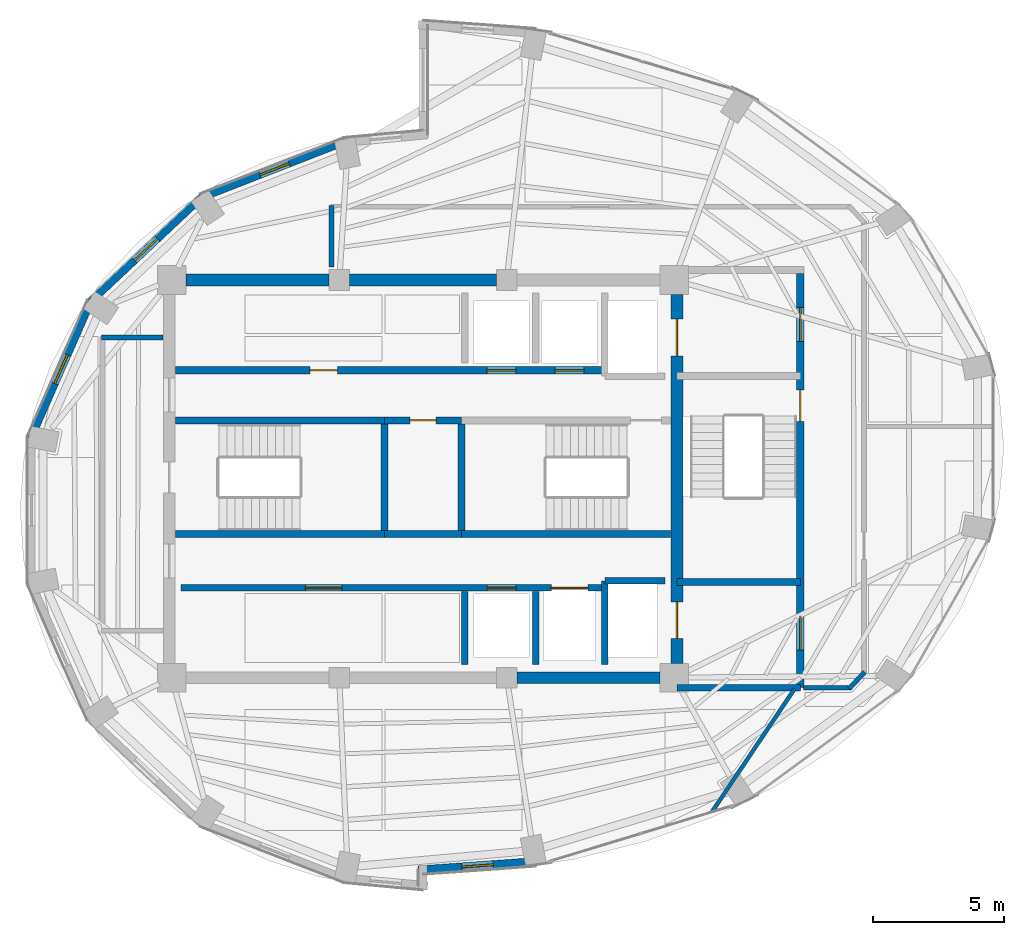
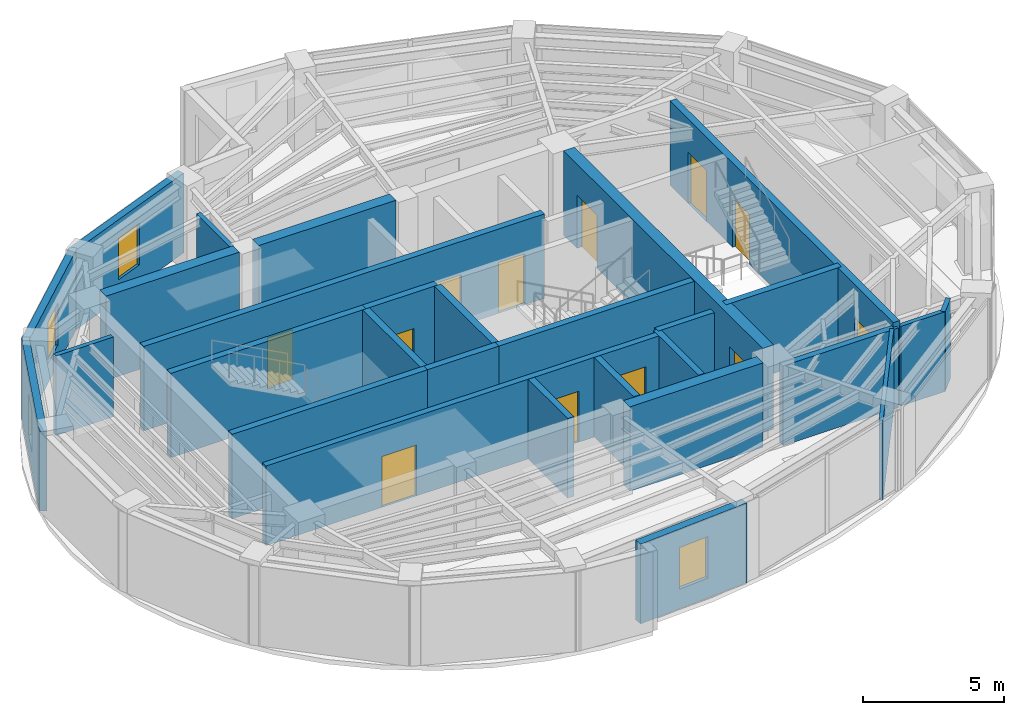
# One storey, part 9 of 12: 29 walls, 12 doors, 4 windows, 16 openings.
"""IFC4 building model written with IfcOpenShell, lengths in metres."""

from ifc_helpers import new_model, si_unit, direction, frame, frame_2d, origin, place, context, subcontext, project, spatial, rectangle, extrude, material, layer, layer_set, type_object, element, fill, save


model = new_model("IFC4")

# Units and contexts
model_context = context("Model", 3, precision=1e-05, world=origin(), true_north=direction((0.0, 1.0)))
body_context = subcontext(model_context, "Body", "Model", "MODEL_VIEW")
ifc_project = project(units=[si_unit("LENGTHUNIT", "METRE"), si_unit("AREAUNIT", "SQUARE_METRE"), si_unit("VOLUMEUNIT", "CUBIC_METRE"), si_unit("PLANEANGLEUNIT", "RADIAN"), si_unit("MASSUNIT", "GRAM", prefix="KILO")], contexts=[model_context])

# Site, building, storey
site_placement = place(None, origin())
site = spatial("IfcSite", under=ifc_project, at=site_placement, CompositionType="ELEMENT")
building_placement = place(site_placement, origin())
building = spatial("IfcBuilding", under=site, at=building_placement, Name="Lazwardi Medical Tower", CompositionType="ELEMENT")
storey_placement = place(building_placement, frame((0.0, 0.0, 291.50390625)))
storey = spatial("IfcBuildingStorey", under=building, at=storey_placement, Name="L76", CompositionType="ELEMENT", Elevation=291.50390625)

# Walls
ifc_material_1 = material(Name="Fire-rated gypsum board on steel stud", Category="steel")
ifc_layer_1 = layer(ifc_material_1, 0.179931640625)
ifc_layer_set_1 = layer_set([ifc_layer_1], Name="Fire-rated gypsum board on steel stud")
wall_type_1 = type_object("IfcWallType", Name="WL-COR-180", PredefinedType="PARTITIONING", material=ifc_layer_set_1)
wall_1_placement = place(storey_placement, frame((32.5, 36.090087890625, 0.0), z_axis=(0.0, 0.0, 1.0), x_axis=(0.0, 1.0, 0.0)))
element("IfcWall", 1, at=wall_1_placement, inside=storey, type_object=wall_type_1, Name="L76 Corridor partition 1", PredefinedType="PARTITIONING", context=body_context, shape_type="SweptSolid", body=[
    extrude(rectangle(XDim=2.349853515625, YDim=0.179931640625, at=frame_2d((1.1748046875, 0.0))), origin(), (0.0, 0.0, 1.0), 3.447998046875),
])
wall_2_placement = place(storey_placement, frame((52.877197265625, 20.619140625, 0.0), z_axis=(0.0, 0.0, 1.0), x_axis=(-0.682409308253, -0.730970270264, 0.0)))
element("IfcWall", 2, at=wall_2_placement, inside=storey, type_object=wall_type_1, Name="L76 Corridor partition 5", PredefinedType="PARTITIONING", context=body_context, shape_type="SweptSolid", body=[
    extrude(rectangle(XDim=0.859619140625, YDim=0.179931640625, at=frame_2d((0.4296875, 0.0))), origin(), (0.0, 0.0, 1.0), 3.447998046875),
])
wall_3_placement = place(storey_placement, frame((52.35791015625, 20.02001953125, 0.0), z_axis=(0.0, 0.0, 1.0), x_axis=(-1.0, 0.0, 0.0)))
element("IfcWall", 3, at=wall_3_placement, inside=storey, type_object=wall_type_1, Name="L76 Corridor partition 6", PredefinedType="PARTITIONING", context=body_context, shape_type="SweptSolid", body=[
    extrude(rectangle(XDim=1.81787109375, YDim=0.179931640625, at=frame_2d((0.908935546875, 0.0))), origin(), (0.0, 0.0, 1.0), 3.447998046875),
])
wall_4_placement = place(storey_placement, frame((23.7099609375, 33.39990234375, 0.0), z_axis=(0.0, 0.0, 1.0), x_axis=(1.0, 0.0, 0.0)))
element("IfcWall", 4, at=wall_4_placement, inside=storey, type_object=wall_type_1, Name="L76 Corridor partition 9", PredefinedType="PARTITIONING", context=body_context, shape_type="SweptSolid", body=[
    extrude(rectangle(XDim=2.35009765625, YDim=0.179931640625, at=frame_2d((1.175048828125, 0.0))), origin(), (0.0, 0.0, 1.0), 3.447998046875),
])

# Wall, openings, doors
ifc_material_2 = material(Name="Concrete C60/75", Category="concrete")
ifc_layer_2 = layer(ifc_material_2, 0.449951171875)
ifc_layer_set_2 = layer_set([ifc_layer_2], Name="Concrete C60/75")
wall_type_2 = type_object("IfcWallType", Name="WL-CORE-450", PredefinedType="SHEAR", material=ifc_layer_set_2)
wall_5_placement = place(storey_placement, frame((45.699951171875, 20.949951171875, 0.0), z_axis=(0.0, 0.0, 1.0), x_axis=(0.0, 1.0, 0.0)))
wall_5 = element("IfcWall", 5, at=wall_5_placement, inside=storey, type_object=wall_type_2, Name="Core wall CW-S4 east L76", PredefinedType="SHEAR", context=body_context, shape_type="SweptSolid", body=[
    extrude(rectangle(XDim=14.10009765625, YDim=0.449951171875, at=frame_2d((7.050048828125, 0.0))), origin(), (0.0, 0.0, 1.0), 3.648193359375),
])
opening_1_placement = place(wall_5_placement, frame((11.75, 0.0, 0.0)))
opening_1 = element("IfcOpeningElement", 6, at=opening_1_placement, cuts=wall_5, Name="Opening LD-L76-001", PredefinedType="OPENING", context=body_context, shape_type="SweptSolid", body=[
    extrude(rectangle(XDim=1.39990234375, YDim=2.300048828125, at=frame_2d((0.699951171875, 1.14990234375))), frame((0.0, 0.23486328125, 0.0), z_axis=(0.0, -1.0, 0.0), x_axis=(1.0, 0.0, 0.0)), (0.0, 0.0, 1.0), 0.469970703125),
])
opening_2_placement = place(wall_5_placement, frame((0.949951171875, 0.0, 0.0)))
opening_2 = element("IfcOpeningElement", 7, at=opening_2_placement, cuts=wall_5, Name="Opening LD-L76-002", PredefinedType="OPENING", context=body_context, shape_type="SweptSolid", body=[
    extrude(rectangle(XDim=1.39990234375, YDim=2.300048828125, at=frame_2d((0.699951171875, 1.14990234375))), frame((0.0, 0.23486328125, 0.0), z_axis=(0.0, -1.0, 0.0), x_axis=(1.0, 0.0, 0.0)), (0.0, 0.0, 1.0), 0.469970703125),
])
ifc_material_3 = material(Name="Brushed stainless steel bed-lift landing door", Category="steel")
door_type_1 = type_object("IfcDoorType", Name="DR-LFT-1400", OperationType="NOTDEFINED", PredefinedType="DOOR", material=ifc_material_3)
door_1_placement = place(opening_1_placement, origin())
door_1 = element("IfcDoor", 8, at=door_1_placement, inside=storey, type_object=door_type_1, Name="L76 Lift Landing Door FL-01", OperationType="SLIDING_TO_LEFT", OverallHeight=2.300048828125, OverallWidth=1.39990234375, PredefinedType="DOOR", context=body_context, shape_type="SweptSolid", body=[
    extrude(rectangle(XDim=1.39990234375, YDim=2.300048828125, at=frame_2d((0.699951171875, 1.14990234375))), frame((0.0, 0.02490234375, 0.0), z_axis=(0.0, -1.0, 0.0), x_axis=(1.0, 0.0, 0.0)), (0.0, 0.0, 1.0), 0.050048828125),
])
fill(opening_1, door_1)
door_2_placement = place(opening_2_placement, origin())
door_2 = element("IfcDoor", 9, at=door_2_placement, inside=storey, type_object=door_type_1, Name="L76 Lift Landing Door FL-02", OperationType="SLIDING_TO_LEFT", OverallHeight=2.300048828125, OverallWidth=1.39990234375, PredefinedType="DOOR", context=body_context, shape_type="SweptSolid", body=[
    extrude(rectangle(XDim=1.39990234375, YDim=2.300048828125, at=frame_2d((0.699951171875, 1.14990234375))), frame((0.0, 0.02490234375, 0.0), z_axis=(0.0, -1.0, 0.0), x_axis=(1.0, 0.0, 0.0)), (0.0, 0.0, 1.0), 0.050048828125),
])
fill(opening_2, door_2)

# Walls
wall_6_placement = place(storey_placement, frame((26.949951171875, 35.60009765625, 0.0), z_axis=(0.0, 0.0, 1.0), x_axis=(1.0, 0.0, 0.0)))
element("IfcWall", 10, at=wall_6_placement, inside=storey, type_object=wall_type_2, Name="Core wall CW-S4 N1 L76", PredefinedType="SHEAR", context=body_context, shape_type="SweptSolid", body=[
    extrude(rectangle(XDim=5.449951171875, YDim=0.449951171875, at=frame_2d((2.72509765625, 0.0))), origin(), (0.0, 0.0, 1.0), 3.648193359375),
])
wall_7_placement = place(storey_placement, frame((33.199951171875, 35.60009765625, 0.0), z_axis=(0.0, 0.0, 1.0), x_axis=(1.0, 0.0, 0.0)))
element("IfcWall", 11, at=wall_7_placement, inside=storey, type_object=wall_type_2, Name="Core wall CW-S4 N2 L76", PredefinedType="SHEAR", context=body_context, shape_type="SweptSolid", body=[
    extrude(rectangle(XDim=5.60009765625, YDim=0.449951171875, at=frame_2d((2.800048828125, 0.0))), origin(), (0.0, 0.0, 1.0), 3.648193359375),
])
wall_8_placement = place(storey_placement, frame((39.60009765625, 20.39990234375, 0.0), z_axis=(0.0, 0.0, 1.0), x_axis=(1.0, 0.0, 0.0)))
element("IfcWall", 12, at=wall_8_placement, inside=storey, type_object=wall_type_2, Name="Core wall CW-S4 S3 L76", PredefinedType="SHEAR", context=body_context, shape_type="SweptSolid", body=[
    extrude(rectangle(XDim=5.449951171875, YDim=0.449951171875, at=frame_2d((2.72509765625, 0.0))), origin(), (0.0, 0.0, 1.0), 3.648193359375),
])

# Wall, opening, window
ifc_material_4 = material(Name="Precast concrete C45/55", Category="concrete")
ifc_layer_3 = layer(ifc_material_4, 0.280029296875)
ifc_layer_set_3 = layer_set([ifc_layer_3], Name="Precast concrete C45/55")
wall_type_3 = type_object("IfcWallType", Name="WL-DRUM-280", PredefinedType="SOLIDWALL", material=ifc_layer_set_3)
wall_9_placement = place(storey_placement, frame((33.227783203125, 40.964111328125, 0.0), z_axis=(0.0, 0.0, 1.0), x_axis=(-0.931716550814, -0.36318627306, 0.0)))
wall_9 = element("IfcWall", 13, at=wall_9_placement, inside=storey, type_object=wall_type_3, Name="L76 West Drum Precast Wall 1", PredefinedType="SOLIDWALL", context=body_context, shape_type="SweptSolid", body=[
    extrude(rectangle(XDim=6.22412109375, YDim=0.280029296875, at=frame_2d((3.112060546875, 0.0))), origin(), (0.0, 0.0, 1.0), 3.447998046875),
])
opening_3_placement = place(wall_9_placement, frame((2.511962890625, 0.0, 0.85009765625)))
opening_3 = element("IfcOpeningElement", 14, at=opening_3_placement, cuts=wall_9, Name="Opening WN-04", PredefinedType="OPENING", context=body_context, shape_type="SweptSolid", body=[
    extrude(rectangle(XDim=1.199951171875, YDim=1.800048828125, at=frame_2d((0.60009765625, 0.89990234375))), frame((0.0, 0.14990234375, 0.0), z_axis=(0.0, -1.0, 0.0), x_axis=(1.0, 0.0, 0.0)), (0.0, 0.0, 1.0), 0.300048828125),
])
ifc_material_5 = material(Name="Low-e bronze solar control double glazing", Category="glass")
window_type = type_object("IfcWindowType", Name="WIN-DRUM-1200", PartitioningType="SINGLE_PANEL", PredefinedType="WINDOW", material=ifc_material_5)
window_1_placement = place(opening_3_placement, origin())
window_1 = element("IfcWindow", 15, at=window_1_placement, inside=storey, type_object=window_type, Name="L76 West Drum Window 1", OverallHeight=1.800048828125, OverallWidth=1.199951171875, PartitioningType="SINGLE_PANEL", PredefinedType="WINDOW", context=body_context, shape_type="SweptSolid", body=[
    extrude(rectangle(XDim=1.199951171875, YDim=1.800048828125, at=frame_2d((0.60009765625, 0.89990234375))), frame((0.0, 0.030029296875, 0.0), z_axis=(0.0, -1.0, 0.0), x_axis=(1.0, 0.0, 0.0)), (0.0, 0.0, 1.0), 0.06005859375),
])
fill(opening_3, window_1)

wall_10_placement = place(storey_placement, frame((27.5947265625, 38.808349609375, 0.0), z_axis=(0.0, 0.0, 1.0), x_axis=(-0.728251519923, -0.685309947199, 0.0)))
wall_10 = element("IfcWall", 16, at=wall_10_placement, inside=storey, type_object=wall_type_3, Name="L76 West Drum Precast Wall 2", PredefinedType="SOLIDWALL", context=body_context, shape_type="SweptSolid", body=[
    extrude(rectangle(XDim=5.98095703125, YDim=0.280029296875, at=frame_2d((2.990478515625, 0.0))), origin(), (0.0, 0.0, 1.0), 3.447998046875),
])
opening_4_placement = place(wall_10_placement, frame((2.390625, 0.0, 0.85009765625)))
opening_4 = element("IfcOpeningElement", 17, at=opening_4_placement, cuts=wall_10, Name="Opening WN-04", PredefinedType="OPENING", context=body_context, shape_type="SweptSolid", body=[
    extrude(rectangle(XDim=1.199951171875, YDim=1.800048828125, at=frame_2d((0.60009765625, 0.89990234375))), frame((0.0, 0.14990234375, 0.0), z_axis=(0.0, -1.0, 0.0), x_axis=(1.0, 0.0, 0.0)), (0.0, 0.0, 1.0), 0.300048828125),
])
window_2_placement = place(opening_4_placement, origin())
window_2 = element("IfcWindow", 18, at=window_2_placement, inside=storey, type_object=window_type, Name="L76 West Drum Window 2", OverallHeight=1.800048828125, OverallWidth=1.199951171875, PartitioningType="SINGLE_PANEL", PredefinedType="WINDOW", context=body_context, shape_type="SweptSolid", body=[
    extrude(rectangle(XDim=1.199951171875, YDim=1.800048828125, at=frame_2d((0.60009765625, 0.89990234375))), frame((0.0, 0.030029296875, 0.0), z_axis=(0.0, -1.0, 0.0), x_axis=(1.0, 0.0, 0.0)), (0.0, 0.0, 1.0), 0.06005859375),
])
fill(opening_4, window_2)

wall_11_placement = place(storey_placement, frame((23.35205078125, 34.869384765625, 0.0), z_axis=(0.0, 0.0, 1.0), x_axis=(-0.402882523888, -0.915251698685, 0.0)))
wall_11 = element("IfcWall", 19, at=wall_11_placement, inside=storey, type_object=wall_type_3, Name="L76 West Drum Precast Wall 3", PredefinedType="SOLIDWALL", context=body_context, shape_type="SweptSolid", body=[
    extrude(rectangle(XDim=5.855712890625, YDim=0.280029296875, at=frame_2d((2.927734375, 0.0))), origin(), (0.0, 0.0, 1.0), 3.447998046875),
])
opening_5_placement = place(wall_11_placement, frame((2.327880859375, 0.0, 0.85009765625)))
opening_5 = element("IfcOpeningElement", 20, at=opening_5_placement, cuts=wall_11, Name="Opening WN-04", PredefinedType="OPENING", context=body_context, shape_type="SweptSolid", body=[
    extrude(rectangle(XDim=1.199951171875, YDim=1.800048828125, at=frame_2d((0.60009765625, 0.89990234375))), frame((0.0, 0.14990234375, 0.0), z_axis=(0.0, -1.0, 0.0), x_axis=(1.0, 0.0, 0.0)), (0.0, 0.0, 1.0), 0.300048828125),
])
window_3_placement = place(opening_5_placement, origin())
window_3 = element("IfcWindow", 21, at=window_3_placement, inside=storey, type_object=window_type, Name="L76 West Drum Window 3", OverallHeight=1.800048828125, OverallWidth=1.199951171875, PartitioningType="SINGLE_PANEL", PredefinedType="WINDOW", context=body_context, shape_type="SweptSolid", body=[
    extrude(rectangle(XDim=1.199951171875, YDim=1.800048828125, at=frame_2d((0.60009765625, 0.89990234375))), frame((0.0, 0.030029296875, 0.0), z_axis=(0.0, -1.0, 0.0), x_axis=(1.0, 0.0, 0.0)), (0.0, 0.0, 1.0), 0.06005859375),
])
fill(opening_5, window_3)

ifc_layer_4 = layer(ifc_material_4, 0.320068359375)
ifc_layer_set_4 = layer_set([ifc_layer_4], Name="Precast concrete C45/55")
wall_type_4 = type_object("IfcWallType", Name="WL-IWAN-320", PredefinedType="SOLIDWALL", material=ifc_layer_set_4)
wall_12_placement = place(storey_placement, frame((35.820556640625, 13.047119140625, 0.0), z_axis=(0.0, 0.0, 1.0), x_axis=(0.997409061056, 0.071938619141, 0.0)))
wall_12 = element("IfcWall", 22, at=wall_12_placement, inside=storey, type_object=wall_type_4, Name="L76 Iwan Portal Return Wall SE_ret", PredefinedType="SOLIDWALL", context=body_context, shape_type="SweptSolid", body=[
    extrude(rectangle(XDim=4.540771484375, YDim=0.320068359375, at=frame_2d((2.2705078125, 0.0))), origin(), (0.0, 0.0, 1.0), 3.447998046875),
])
opening_6_placement = place(wall_12_placement, frame((1.67041015625, 0.0, 0.85009765625)))
opening_6 = element("IfcOpeningElement", 23, at=opening_6_placement, cuts=wall_12, Name="Opening WN-04", PredefinedType="OPENING", context=body_context, shape_type="SweptSolid", body=[
    extrude(rectangle(XDim=1.199951171875, YDim=1.800048828125, at=frame_2d((0.60009765625, 0.89990234375))), frame((0.0, 0.169921875, 0.0), z_axis=(0.0, -1.0, 0.0), x_axis=(1.0, 0.0, 0.0)), (0.0, 0.0, 1.0), 0.340087890625),
])
window_4_placement = place(opening_6_placement, origin())
window_4 = element("IfcWindow", 24, at=window_4_placement, inside=storey, type_object=window_type, Name="L76 Iwan Slot Window SE_ret", OverallHeight=1.800048828125, OverallWidth=1.199951171875, PartitioningType="SINGLE_PANEL", PredefinedType="WINDOW", context=body_context, shape_type="SweptSolid", body=[
    extrude(rectangle(XDim=1.199951171875, YDim=1.800048828125, at=frame_2d((0.60009765625, 0.89990234375))), frame((0.0, 0.030029296875, 0.0), z_axis=(0.0, -1.0, 0.0), x_axis=(1.0, 0.0, 0.0)), (0.0, 0.0, 1.0), 0.06005859375),
])
fill(opening_6, window_4)

# Wall, openings, doors
ifc_material_6 = material(Name="Autoclaved aerated concrete blockwork", Category="masonry")
ifc_layer_5 = layer(ifc_material_6, 0.25)
ifc_layer_set_5 = layer_set([ifc_layer_5], Name="Autoclaved aerated concrete blockwork")
wall_type_5 = type_object("IfcWallType", Name="WL-SHAFT-250", PredefinedType="SOLIDWALL", material=ifc_layer_set_5)
wall_13_placement = place(storey_placement, frame((26.75, 23.830078125, 0.0), z_axis=(0.0, 0.0, 1.0), x_axis=(1.0, 0.0, 0.0)))
wall_13 = element("IfcWall", 25, at=wall_13_placement, inside=storey, type_object=wall_type_5, Name="L76 South lift bank front wall", PredefinedType="SOLIDWALL", context=body_context, shape_type="SweptSolid", body=[
    extrude(rectangle(XDim=16.199951171875, YDim=0.25, at=frame_2d((8.10009765625, 0.0))), origin(), (0.0, 0.0, 1.0), 3.447998046875),
])
opening_7_placement = place(wall_13_placement, frame((4.75, 0.0, 0.0)))
opening_7 = element("IfcOpeningElement", 26, at=opening_7_placement, cuts=wall_13, Name="Opening D-L76-003", PredefinedType="OPENING", context=body_context, shape_type="SweptSolid", body=[
    extrude(rectangle(XDim=1.39990234375, YDim=2.199951171875, at=frame_2d((0.699951171875, 1.10009765625))), frame((0.0, 0.135009765625, 0.0), z_axis=(0.0, -1.0, 0.0), x_axis=(1.0, 0.0, 0.0)), (0.0, 0.0, 1.0), 0.27001953125),
])
opening_8_placement = place(wall_13_placement, frame((11.699951171875, 0.0, 0.0)))
opening_8 = element("IfcOpeningElement", 27, at=opening_8_placement, cuts=wall_13, Name="Opening LD-L76-006", PredefinedType="OPENING", context=body_context, shape_type="SweptSolid", body=[
    extrude(rectangle(XDim=1.10009765625, YDim=2.199951171875, at=frame_2d((0.550048828125, 1.10009765625))), frame((0.0, 0.135009765625, 0.0), z_axis=(0.0, -1.0, 0.0), x_axis=(1.0, 0.0, 0.0)), (0.0, 0.0, 1.0), 0.27001953125),
])
opening_9_placement = place(wall_13_placement, frame((14.14990234375, 0.0, 0.0)))
opening_9 = element("IfcOpeningElement", 28, at=opening_9_placement, cuts=wall_13, Name="Opening LD-L76-003", PredefinedType="OPENING", context=body_context, shape_type="SweptSolid", body=[
    extrude(rectangle(XDim=1.39990234375, YDim=2.300048828125, at=frame_2d((0.699951171875, 1.14990234375))), frame((0.0, 0.135009765625, 0.0), z_axis=(0.0, -1.0, 0.0), x_axis=(1.0, 0.0, 0.0)), (0.0, 0.0, 1.0), 0.27001953125),
])
ifc_material_7 = material(Name="Anti-microbial laminate hospital leaf")
door_type_2 = type_object("IfcDoorType", Name="DR-BED-1400", OperationType="NOTDEFINED", PredefinedType="DOOR", material=ifc_material_7)
door_3_placement = place(opening_7_placement, origin())
door_3 = element("IfcDoor", 29, at=door_3_placement, inside=storey, type_object=door_type_2, Name="L76 Core South Suite Door", OperationType="SINGLE_SWING_RIGHT", OverallHeight=2.199951171875, OverallWidth=1.39990234375, PredefinedType="DOOR", context=body_context, shape_type="SweptSolid", body=[
    extrude(rectangle(XDim=1.39990234375, YDim=2.199951171875, at=frame_2d((0.699951171875, 1.10009765625))), frame((0.0, 0.02490234375, 0.0), z_axis=(0.0, -1.0, 0.0), x_axis=(1.0, 0.0, 0.0)), (0.0, 0.0, 1.0), 0.050048828125),
])
fill(opening_7, door_3)
ifc_material_8 = material(Name="Brushed bronze stainless steel landing door", Category="steel")
door_type_3 = type_object("IfcDoorType", Name="DR-LFT-1100", OperationType="NOTDEFINED", PredefinedType="DOOR", material=ifc_material_8)
door_4_placement = place(opening_8_placement, origin())
door_4 = element("IfcDoor", 30, at=door_4_placement, inside=storey, type_object=door_type_3, Name="L76 Lift Landing Door PL-11", OperationType="SLIDING_TO_LEFT", OverallHeight=2.199951171875, OverallWidth=1.10009765625, PredefinedType="DOOR", context=body_context, shape_type="SweptSolid", body=[
    extrude(rectangle(XDim=1.10009765625, YDim=2.199951171875, at=frame_2d((0.550048828125, 1.10009765625))), frame((0.0, 0.02490234375, 0.0), z_axis=(0.0, -1.0, 0.0), x_axis=(1.0, 0.0, 0.0)), (0.0, 0.0, 1.0), 0.050048828125),
])
fill(opening_8, door_4)
door_5_placement = place(opening_9_placement, origin())
door_5 = element("IfcDoor", 31, at=door_5_placement, inside=storey, type_object=door_type_1, Name="L76 Lift Landing Door FL-03", OperationType="SLIDING_TO_LEFT", OverallHeight=2.300048828125, OverallWidth=1.39990234375, PredefinedType="DOOR", context=body_context, shape_type="SweptSolid", body=[
    extrude(rectangle(XDim=1.39990234375, YDim=2.300048828125, at=frame_2d((0.699951171875, 1.14990234375))), frame((0.0, 0.02490234375, 0.0), z_axis=(0.0, -1.0, 0.0), x_axis=(1.0, 0.0, 0.0)), (0.0, 0.0, 1.0), 0.050048828125),
])
fill(opening_9, door_5)

# Walls
wall_14_placement = place(storey_placement, frame((42.949951171875, 20.89990234375, 0.0), z_axis=(0.0, 0.0, 1.0), x_axis=(0.0, 1.0, 0.0)))
element("IfcWall", 32, at=wall_14_placement, inside=storey, type_object=wall_type_5, Name="L76 FL-02 West shaft wall", PredefinedType="SOLIDWALL", context=body_context, shape_type="SweptSolid", body=[
    extrude(rectangle(XDim=3.2001953125, YDim=0.25, at=frame_2d((1.60009765625, 0.0))), origin(), (0.0, 0.0, 1.0), 3.447998046875),
])
wall_15_placement = place(storey_placement, frame((42.949951171875, 24.10009765625, 0.0), z_axis=(0.0, 0.0, 1.0), x_axis=(1.0, 0.0, 0.0)))
element("IfcWall", 33, at=wall_15_placement, inside=storey, type_object=wall_type_5, Name="L76 FL-02 North shaft wall", PredefinedType="SOLIDWALL", context=body_context, shape_type="SweptSolid", body=[
    extrude(rectangle(XDim=2.300048828125, YDim=0.25, at=frame_2d((1.14990234375, 0.0))), origin(), (0.0, 0.0, 1.0), 3.447998046875),
])
for number, where, z_axis, x_axis, name in (
    (34, (37.60009765625, 20.89990234375, 0.0), (0.0, 0.0, 1.0), (0.0, 1.0, 0.0), "L76 South hoistway divider"),
    (35, (40.300048828125, 20.89990234375, 0.0), (0.0, 0.0, 1.0), (0.0, 1.0, 0.0), "L76 South hoistway divider"),
):
    element("IfcWall", number, at=place(storey_placement, frame(where, z_axis=z_axis, x_axis=x_axis)), inside=storey, type_object=wall_type_5, Name=name, PredefinedType="SOLIDWALL", context=body_context, shape_type="SweptSolid", body=[
        extrude(rectangle(XDim=2.800048828125, YDim=0.25, at=frame_2d((1.39990234375, 0.0))), origin(), (0.0, 0.0, 1.0), 3.447998046875),
    ])
wall_16_placement = place(storey_placement, frame((45.699951171875, 20.02001953125, 0.0), z_axis=(0.0, 0.0, 1.0), x_axis=(1.0, 0.0, 0.0)))
element("IfcWall", 36, at=wall_16_placement, inside=storey, type_object=wall_type_5, Name="L76 FFL-S South wall", PredefinedType="SOLIDWALL", context=body_context, shape_type="SweptSolid", body=[
    extrude(rectangle(XDim=4.715087890625, YDim=0.25, at=frame_2d((2.357421875, 0.0))), origin(), (0.0, 0.0, 1.0), 3.447998046875),
])
ifc_material_9 = material(Name="Concrete C50/60", Category="concrete")
ifc_layer_6 = layer(ifc_material_9, 0.27001953125)
ifc_layer_set_6 = layer_set([ifc_layer_6], Name="Concrete C50/60")
wall_type_6 = type_object("IfcWallType", Name="WL-STR-250", PredefinedType="SHEAR", material=ifc_layer_set_6)
wall_17_placement = place(storey_placement, frame((26.550048828125, 30.235107421875, 0.0), z_axis=(0.0, 0.0, 1.0), x_axis=(1.0, 0.0, 0.0)))
element("IfcWall", 37, at=wall_17_placement, inside=storey, type_object=wall_type_6, Name="L76 ST1 North shear shaft wall SW-S1", PredefinedType="SHEAR", context=body_context, shape_type="SweptSolid", body=[
    extrude(rectangle(XDim=7.98486328125, YDim=0.27001953125, at=frame_2d((3.992431640625, 0.0))), origin(), (0.0, 0.0, 1.0), 3.648193359375),
])

# Wall, opening, door
wall_18_placement = place(storey_placement, frame((34.534912109375, 30.235107421875, 0.0), z_axis=(0.0, 0.0, 1.0), x_axis=(1.0, 0.0, 0.0)))
wall_18 = element("IfcWall", 38, at=wall_18_placement, inside=storey, type_object=wall_type_6, Name="L76 Core service North shear wall SW-S1", PredefinedType="SHEAR", context=body_context, shape_type="SweptSolid", body=[
    extrude(rectangle(XDim=2.93017578125, YDim=0.27001953125, at=frame_2d((1.465087890625, 0.0))), origin(), (0.0, 0.0, 1.0), 3.648193359375),
])
opening_10_placement = place(wall_18_placement, frame((0.965087890625, 0.0, 0.0)))
opening_10 = element("IfcOpeningElement", 39, at=opening_10_placement, cuts=wall_18, Name="Opening D-L76-001", PredefinedType="OPENING", context=body_context, shape_type="SweptSolid", body=[
    extrude(rectangle(XDim=1.0, YDim=2.10009765625, at=frame_2d((0.5, 1.050048828125))), frame((0.0, 0.14501953125, 0.0), z_axis=(0.0, -1.0, 0.0), x_axis=(1.0, 0.0, 0.0)), (0.0, 0.0, 1.0), 0.2900390625),
])
ifc_material_10 = material(Name="Moisture-resistant laminate door leaf")
door_type_4 = type_object("IfcDoorType", Name="DR-AWC-1000", OperationType="NOTDEFINED", PredefinedType="DOOR", material=ifc_material_10)
door_6_placement = place(opening_10_placement, origin())
door_6 = element("IfcDoor", 40, at=door_6_placement, inside=storey, type_object=door_type_4, Name="L76 Accessible WC Door", OperationType="SINGLE_SWING_RIGHT", OverallHeight=2.10009765625, OverallWidth=1.0, PredefinedType="DOOR", context=body_context, shape_type="SweptSolid", body=[
    extrude(rectangle(XDim=1.0, YDim=2.10009765625, at=frame_2d((0.5, 1.050048828125))), frame((0.0, 0.02490234375, 0.0), z_axis=(0.0, -1.0, 0.0), x_axis=(1.0, 0.0, 0.0)), (0.0, 0.0, 1.0), 0.050048828125),
])
fill(opening_10, door_6)

# Walls
wall_19_placement = place(storey_placement, frame((26.550048828125, 25.885009765625, 0.0), z_axis=(0.0, 0.0, 1.0), x_axis=(1.0, 0.0, 0.0)))
element("IfcWall", 41, at=wall_19_placement, inside=storey, type_object=wall_type_6, Name="L76 ST1 South shear shaft wall SW-S1", PredefinedType="SHEAR", context=body_context, shape_type="SweptSolid", body=[
    extrude(rectangle(XDim=7.98486328125, YDim=0.27001953125, at=frame_2d((3.992431640625, 0.0))), origin(), (0.0, 0.0, 1.0), 3.648193359375),
])
wall_20_placement = place(storey_placement, frame((34.534912109375, 25.885009765625, 0.0), z_axis=(0.0, 0.0, 1.0), x_axis=(1.0, 0.0, 0.0)))
element("IfcWall", 42, at=wall_20_placement, inside=storey, type_object=wall_type_6, Name="L76 Core service South shear wall SW-S1", PredefinedType="SHEAR", context=body_context, shape_type="SweptSolid", body=[
    extrude(rectangle(XDim=2.93017578125, YDim=0.27001953125, at=frame_2d((1.465087890625, 0.0))), origin(), (0.0, 0.0, 1.0), 3.648193359375),
])
wall_21_placement = place(storey_placement, frame((37.465087890625, 25.885009765625, 0.0), z_axis=(0.0, 0.0, 1.0), x_axis=(1.0, 0.0, 0.0)))
element("IfcWall", 43, at=wall_21_placement, inside=storey, type_object=wall_type_6, Name="L76 ST2 South shear shaft wall SW-S1", PredefinedType="SHEAR", context=body_context, shape_type="SweptSolid", body=[
    extrude(rectangle(XDim=7.98486328125, YDim=0.27001953125, at=frame_2d((3.992431640625, 0.0))), origin(), (0.0, 0.0, 1.0), 3.648193359375),
])
for number, where, z_axis, x_axis, name in (
    (44, (34.534912109375, 26.02001953125, 0.0), (0.0, 0.0, 1.0), (0.0, 1.0, 0.0), "L76 ST1 East shear shaft wall SW-S1"),
    (45, (37.465087890625, 26.02001953125, 0.0), (0.0, 0.0, 1.0), (0.0, 1.0, 0.0), "L76 ST2 West shear shaft wall SW-S1"),
):
    element("IfcWall", number, at=place(storey_placement, frame(where, z_axis=z_axis, x_axis=x_axis)), inside=storey, type_object=wall_type_6, Name=name, PredefinedType="SHEAR", context=body_context, shape_type="SweptSolid", body=[
        extrude(rectangle(XDim=4.080078125, YDim=0.27001953125, at=frame_2d((2.0400390625, 0.0))), origin(), (0.0, 0.0, 1.0), 3.648193359375),
    ])

# Wall, openings, doors
wall_22_placement = place(storey_placement, frame((26.550048828125, 32.14990234375, 0.0), z_axis=(0.0, 0.0, 1.0), x_axis=(1.0, 0.0, 0.0)))
wall_22 = element("IfcWall", 46, at=wall_22_placement, inside=storey, type_object=wall_type_6, Name="L76 North lift bank shear wall SW-S1", PredefinedType="SHEAR", context=body_context, shape_type="SweptSolid", body=[
    extrude(rectangle(XDim=16.39990234375, YDim=0.27001953125, at=frame_2d((8.199951171875, 0.0))), origin(), (0.0, 0.0, 1.0), 3.648193359375),
])
opening_11_placement = place(wall_22_placement, frame((5.125, 0.0, 0.0)))
opening_11 = element("IfcOpeningElement", 47, at=opening_11_placement, cuts=wall_22, Name="Opening D-L76-002", PredefinedType="OPENING", context=body_context, shape_type="SweptSolid", body=[
    extrude(rectangle(XDim=1.050048828125, YDim=2.14990234375, at=frame_2d((0.52490234375, 1.074951171875))), frame((0.0, 0.14501953125, 0.0), z_axis=(0.0, -1.0, 0.0), x_axis=(1.0, 0.0, 0.0)), (0.0, 0.0, 1.0), 0.2900390625),
])
opening_12_placement = place(wall_22_placement, frame((11.89990234375, 0.0, 0.0)))
opening_12 = element("IfcOpeningElement", 48, at=opening_12_placement, cuts=wall_22, Name="Opening LD-L76-004", PredefinedType="OPENING", context=body_context, shape_type="SweptSolid", body=[
    extrude(rectangle(XDim=1.10009765625, YDim=2.199951171875, at=frame_2d((0.550048828125, 1.10009765625))), frame((0.0, 0.14501953125, 0.0), z_axis=(0.0, -1.0, 0.0), x_axis=(1.0, 0.0, 0.0)), (0.0, 0.0, 1.0), 0.2900390625),
])
opening_13_placement = place(wall_22_placement, frame((14.5, 0.0, 0.0)))
opening_13 = element("IfcOpeningElement", 49, at=opening_13_placement, cuts=wall_22, Name="Opening LD-L76-005", PredefinedType="OPENING", context=body_context, shape_type="SweptSolid", body=[
    extrude(rectangle(XDim=1.10009765625, YDim=2.199951171875, at=frame_2d((0.550048828125, 1.10009765625))), frame((0.0, 0.14501953125, 0.0), z_axis=(0.0, -1.0, 0.0), x_axis=(1.0, 0.0, 0.0)), (0.0, 0.0, 1.0), 0.2900390625),
])
door_type_5 = type_object("IfcDoorType", Name="DR-CLN-1050", OperationType="NOTDEFINED", PredefinedType="DOOR", material=ifc_material_7)
door_7_placement = place(opening_11_placement, origin())
door_7 = element("IfcDoor", 50, at=door_7_placement, inside=storey, type_object=door_type_5, Name="L76 Core North Suite Door", OperationType="SINGLE_SWING_LEFT", OverallHeight=2.14990234375, OverallWidth=1.050048828125, PredefinedType="DOOR", context=body_context, shape_type="SweptSolid", body=[
    extrude(rectangle(XDim=1.050048828125, YDim=2.14990234375, at=frame_2d((0.52490234375, 1.074951171875))), frame((0.0, 0.02490234375, 0.0), z_axis=(0.0, -1.0, 0.0), x_axis=(1.0, 0.0, 0.0)), (0.0, 0.0, 1.0), 0.050048828125),
])
fill(opening_11, door_7)
door_8_placement = place(opening_12_placement, origin())
door_8 = element("IfcDoor", 51, at=door_8_placement, inside=storey, type_object=door_type_3, Name="L76 Lift Landing Door PL-09", OperationType="SLIDING_TO_LEFT", OverallHeight=2.199951171875, OverallWidth=1.10009765625, PredefinedType="DOOR", context=body_context, shape_type="SweptSolid", body=[
    extrude(rectangle(XDim=1.10009765625, YDim=2.199951171875, at=frame_2d((0.550048828125, 1.10009765625))), frame((0.0, 0.02490234375, 0.0), z_axis=(0.0, -1.0, 0.0), x_axis=(1.0, 0.0, 0.0)), (0.0, 0.0, 1.0), 0.050048828125),
])
fill(opening_12, door_8)
door_9_placement = place(opening_13_placement, origin())
door_9 = element("IfcDoor", 52, at=door_9_placement, inside=storey, type_object=door_type_3, Name="L76 Lift Landing Door PL-10", OperationType="SLIDING_TO_LEFT", OverallHeight=2.199951171875, OverallWidth=1.10009765625, PredefinedType="DOOR", context=body_context, shape_type="SweptSolid", body=[
    extrude(rectangle(XDim=1.10009765625, YDim=2.199951171875, at=frame_2d((0.550048828125, 1.10009765625))), frame((0.0, 0.02490234375, 0.0), z_axis=(0.0, -1.0, 0.0), x_axis=(1.0, 0.0, 0.0)), (0.0, 0.0, 1.0), 0.050048828125),
])
fill(opening_13, door_9)

wall_23_placement = place(storey_placement, frame((50.4150390625, 35.844970703125, 0.0), z_axis=(0.0, 0.0, 1.0), x_axis=(0.0, -1.0, 0.0)))
wall_23 = element("IfcWall", 53, at=wall_23_placement, inside=storey, type_object=wall_type_6, Name="L76 East ST3 & FFL shear wall SW-S1", PredefinedType="SHEAR", context=body_context, shape_type="SweptSolid", body=[
    extrude(rectangle(XDim=15.824951171875, YDim=0.27001953125, at=frame_2d((7.91259765625, 0.0))), origin(), (0.0, 0.0, 1.0), 3.648193359375),
])
opening_14_placement = place(wall_23_placement, frame((4.445068359375, 0.0, 0.0)))
opening_14 = element("IfcOpeningElement", 54, at=opening_14_placement, cuts=wall_23, Name="Opening D-L76-012", PredefinedType="OPENING", context=body_context, shape_type="SweptSolid", body=[
    extrude(rectangle(XDim=1.199951171875, YDim=2.14990234375, at=frame_2d((0.60009765625, 1.074951171875))), frame((0.0, 0.14501953125, 0.0), z_axis=(0.0, -1.0, 0.0), x_axis=(1.0, 0.0, 0.0)), (0.0, 0.0, 1.0), 0.2900390625),
])
opening_15_placement = place(wall_23_placement, frame((1.294921875, 0.0, 0.0)))
opening_15 = element("IfcOpeningElement", 55, at=opening_15_placement, cuts=wall_23, Name="Opening D-L76-004", PredefinedType="OPENING", context=body_context, shape_type="SweptSolid", body=[
    extrude(rectangle(XDim=1.300048828125, YDim=2.199951171875, at=frame_2d((0.64990234375, 1.10009765625))), frame((0.0, 0.14501953125, 0.0), z_axis=(0.0, -1.0, 0.0), x_axis=(1.0, 0.0, 0.0)), (0.0, 0.0, 1.0), 0.2900390625),
])
opening_16_placement = place(wall_23_placement, frame((13.094970703125, 0.0, 0.0)))
opening_16 = element("IfcOpeningElement", 56, at=opening_16_placement, cuts=wall_23, Name="Opening D-L76-005", PredefinedType="OPENING", context=body_context, shape_type="SweptSolid", body=[
    extrude(rectangle(XDim=1.300048828125, YDim=2.199951171875, at=frame_2d((0.64990234375, 1.10009765625))), frame((0.0, 0.14501953125, 0.0), z_axis=(0.0, -1.0, 0.0), x_axis=(1.0, 0.0, 0.0)), (0.0, 0.0, 1.0), 0.2900390625),
])
ifc_material_11 = material(Name="Fire-rated steel leaf and frame", Category="steel")
door_type_6 = type_object("IfcDoorType", Name="DR-FFL-1300", OperationType="NOTDEFINED", PredefinedType="DOOR", material=ifc_material_11)
door_10_placement = place(opening_15_placement, origin())
door_10 = element("IfcDoor", 57, at=door_10_placement, inside=storey, type_object=door_type_6, Name="L76 Fire-Fighting Lobby North Door", OperationType="SINGLE_SWING_RIGHT", OverallHeight=2.199951171875, OverallWidth=1.300048828125, PredefinedType="DOOR", context=body_context, shape_type="SweptSolid", body=[
    extrude(rectangle(XDim=1.300048828125, YDim=2.199951171875, at=frame_2d((0.64990234375, 1.10009765625))), frame((0.0, 0.02490234375, 0.0), z_axis=(0.0, -1.0, 0.0), x_axis=(1.0, 0.0, 0.0)), (0.0, 0.0, 1.0), 0.050048828125),
])
fill(opening_15, door_10)
door_11_placement = place(opening_16_placement, origin())
door_11 = element("IfcDoor", 58, at=door_11_placement, inside=storey, type_object=door_type_6, Name="L76 Fire-Fighting Lobby South Door", OperationType="SINGLE_SWING_LEFT", OverallHeight=2.199951171875, OverallWidth=1.300048828125, PredefinedType="DOOR", context=body_context, shape_type="SweptSolid", body=[
    extrude(rectangle(XDim=1.300048828125, YDim=2.199951171875, at=frame_2d((0.64990234375, 1.10009765625))), frame((0.0, 0.02490234375, 0.0), z_axis=(0.0, -1.0, 0.0), x_axis=(1.0, 0.0, 0.0)), (0.0, 0.0, 1.0), 0.050048828125),
])
fill(opening_16, door_11)
door_type_7 = type_object("IfcDoorType", Name="DR-STR-1200", OperationType="NOTDEFINED", PredefinedType="DOOR", material=ifc_material_11)
door_12_placement = place(opening_14_placement, origin())
door_12 = element("IfcDoor", 59, at=door_12_placement, inside=storey, type_object=door_type_7, Name="L76 Exit Stair ST3 Door", OperationType="SINGLE_SWING_LEFT", OverallHeight=2.14990234375, OverallWidth=1.199951171875, PredefinedType="DOOR", context=body_context, shape_type="SweptSolid", body=[
    extrude(rectangle(XDim=1.199951171875, YDim=2.14990234375, at=frame_2d((0.60009765625, 1.074951171875))), frame((0.0, 0.02490234375, 0.0), z_axis=(0.0, -1.0, 0.0), x_axis=(1.0, 0.0, 0.0)), (0.0, 0.0, 1.0), 0.050048828125),
])
fill(opening_14, door_12)

# Walls
wall_24_placement = place(storey_placement, frame((45.699951171875, 24.06494140625, 0.0), z_axis=(0.0, 0.0, 1.0), x_axis=(1.0, 0.0, 0.0)))
element("IfcWall", 60, at=wall_24_placement, inside=storey, type_object=wall_type_6, Name="L76 ST3 South shear shaft wall SW-S1", PredefinedType="SHEAR", context=body_context, shape_type="SweptSolid", body=[
    extrude(rectangle(XDim=4.715087890625, YDim=0.27001953125, at=frame_2d((2.357421875, 0.0))), origin(), (0.0, 0.0, 1.0), 3.648193359375),
])
ifc_material_12 = material(Name="Acoustic gypsum board partition")
ifc_layer_7 = layer(ifc_material_12, 0.14990234375)
ifc_layer_set_7 = layer_set([ifc_layer_7], Name="Acoustic gypsum board partition")
wall_type_7 = type_object("IfcWallType", Name="WL-WRD-150", PredefinedType="PARTITIONING", material=ifc_layer_set_7)
wall_25_placement = place(storey_placement, frame((50.1962890625, 19.97314453125, 0.0), z_axis=(0.0, 0.0, 1.0), x_axis=(-0.557432490255, -0.830222270725, 0.0)))
element("IfcWall", 61, at=wall_25_placement, inside=storey, type_object=wall_type_7, Name="L76 Room partition 2", PredefinedType="PARTITIONING", context=body_context, shape_type="SweptSolid", body=[
    extrude(rectangle(XDim=5.664306640625, YDim=0.14990234375, at=frame_2d((2.83203125, 0.0))), origin(), (0.0, 0.0, 1.0), 3.447998046875),
])

save(model, "model.ifc")
